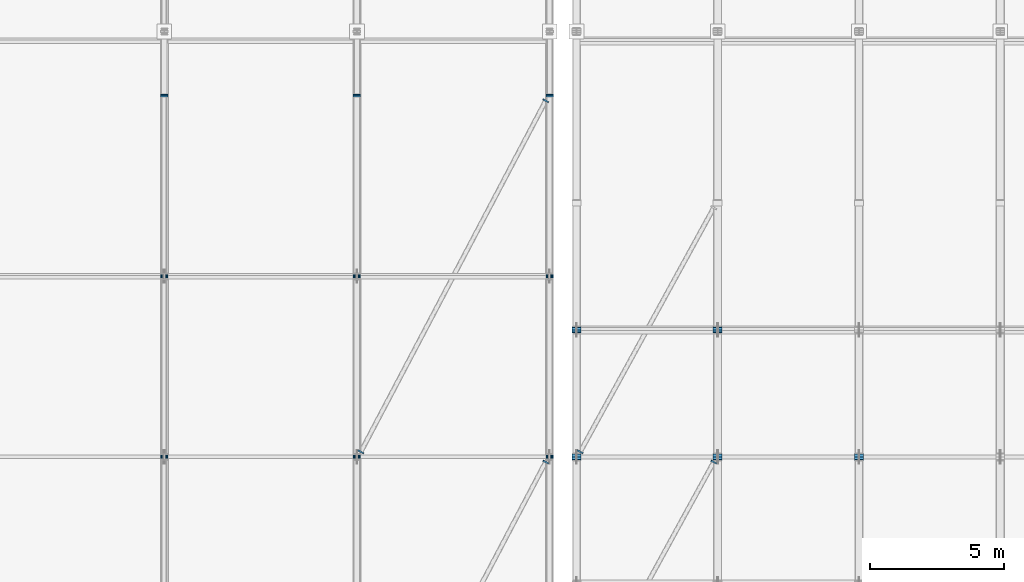
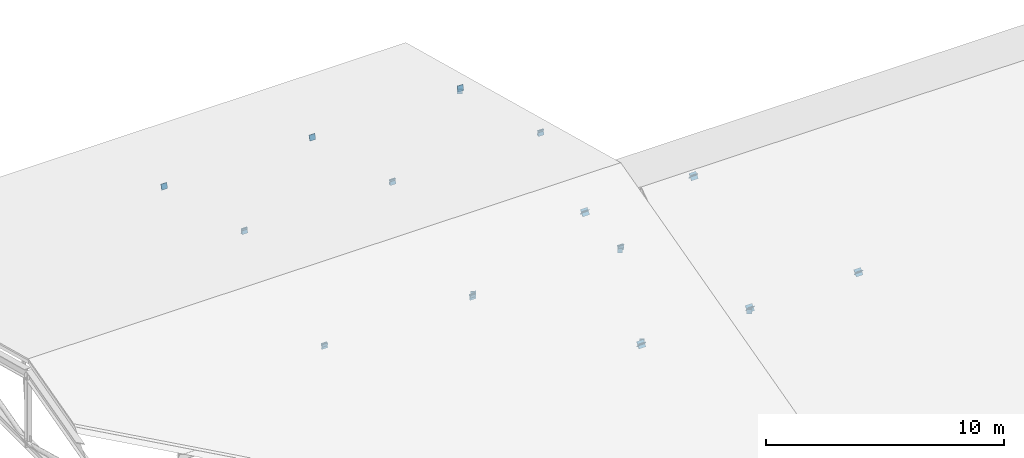
# One storey, part 47 of 57: 33 discrete accessories.
"""IFC4 building model written with IfcOpenShell, lengths in metres."""

from ifc_helpers import new_model, si_unit, direction, frame, origin, origin_2d, place, context, subcontext, project, spatial, rectangle, extrude, material, material_profile, profile_set, type_object, element, save


model = new_model("IFC4")

# Units and contexts
model_context = context("Model", 3, precision=1e-05, world=origin(), true_north=direction((0.0, 1.0)))
body_context = subcontext(model_context, "Body", "Model", "MODEL_VIEW")
ifc_project = project(units=[si_unit("LENGTHUNIT", "METRE"), si_unit("AREAUNIT", "SQUARE_METRE"), si_unit("VOLUMEUNIT", "CUBIC_METRE"), si_unit("PLANEANGLEUNIT", "RADIAN"), si_unit("MASSUNIT", "GRAM", prefix="KILO")], contexts=[model_context])

# Site, building, storey
site_placement = place(None, origin())
site = spatial("IfcSite", under=ifc_project, at=site_placement, CompositionType="ELEMENT")
building_placement = place(site_placement, origin())
building = spatial("IfcBuilding", under=site, at=building_placement, Name="Kelarvand Opera House", CompositionType="ELEMENT")
storey_placement = place(building_placement, frame((0.0, 0.0, 33.60009765625)))
storey = spatial("IfcBuildingStorey", under=building, at=storey_placement, Name="Roof", CompositionType="ELEMENT", Elevation=33.60009765625)

# Discrete accessories
ifc_material = material(Name="Steel S355", Category="steel")
ifc_material_profile_1 = material_profile(ifc_material, rectangle(XDim=0.22802734375, YDim=0.22802734375, at=origin_2d()), Name="Welded Steel Hollow End-Cap Plate 228x228x24", Category="steel")
ifc_profile_set_1 = profile_set([ifc_material_profile_1], Name="Steel S355")
discrete_accessory_type_1 = type_object("IfcDiscreteAccessoryType", Name="Welded Steel Hollow End-Cap Plate 228x228x24", PredefinedType="SHOE", material=ifc_profile_set_1)
for number, where, z_axis, x_axis, name in (
    (1, (94.126220703125, 62.29296875, -4.800048828125), (0.474099823035, 0.880471099922, 0.0), (-0.880471099922, 0.474099823035, 0.0), "Hollow Section Welded End Cap 394"),
    (2, (89.15380859375, 62.70703125, -4.800048828125), (-0.474099823035, -0.880471099922, 0.0), (0.880471099922, -0.474099823035, 0.0), "Hollow Section Welded End Cap 395"),
):
    element("IfcDiscreteAccessory", number, at=place(storey_placement, frame(where, z_axis=z_axis, x_axis=x_axis)), inside=storey, type_object=discrete_accessory_type_1, Name=name, PredefinedType="SHOE", context=body_context, shape_type="SweptSolid", body=[
        extrude(rectangle(XDim=0.22802734375, YDim=0.22802734375, at=origin_2d()), origin(), (0.0, 0.0, 1.0), 0.0361328125),
    ])
for number, where, z_axis, x_axis, name in (
    (3, (87.84619140625, 62.29296875, 0.52001953125), (0.468824003899, 0.883291601549, 0.0), (-0.883291601549, 0.468824003899, 0.0), "Hollow Section Welded End Cap 538"),
    (4, (80.95361328125, 62.70703125, 0.52001953125), (-0.4634975267, -0.886098212809, 0.0), (0.886098212809, -0.4634975267, 0.0), "Hollow Section Welded End Cap 539"),
    (5, (87.84619140625, 75.79296875, 0.52001953125), (0.468824003899, 0.883291601549, 0.0), (-0.883291601549, 0.468824003899, 0.0), "Hollow Section Welded End Cap 540"),
):
    element("IfcDiscreteAccessory", number, at=place(storey_placement, frame(where, z_axis=z_axis, x_axis=x_axis)), inside=storey, type_object=discrete_accessory_type_1, Name=name, PredefinedType="SHOE", context=body_context, shape_type="SweptSolid", body=[
        extrude(rectangle(XDim=0.22802734375, YDim=0.22802734375, at=origin_2d()), origin(), (0.0, 0.0, 1.0), 0.035888671875),
    ])
ifc_material_profile_2 = material_profile(ifc_material, rectangle(XDim=0.279052734375, YDim=0.279052734375, at=origin_2d()), Name="Welded Steel Hollow End-Cap Plate 279x279x24", Category="steel")
ifc_profile_set_2 = profile_set([ifc_material_profile_2], Name="Steel S355")
discrete_accessory_type_2 = type_object("IfcDiscreteAccessoryType", Name="Welded Steel Hollow End-Cap Plate 279x279x24", PredefinedType="SHOE", material=ifc_profile_set_2)
discrete_accessory_1_placement = place(storey_placement, frame((73.60009765625, 76.0078125, 0.518310546875), z_axis=(0.0, -0.977603274554, 0.210456260494), x_axis=(1.0, 0.0, 0.0)))
element("IfcDiscreteAccessory", 6, at=discrete_accessory_1_placement, inside=storey, type_object=discrete_accessory_type_2, Name="Hollow Section Welded End Cap 476", PredefinedType="SHOE", context=body_context, shape_type="SweptSolid", body=[
    extrude(rectangle(XDim=0.279052734375, YDim=0.279052734375, at=origin_2d()), origin(), (0.0, 0.0, 1.0), 0.035888671875),
])
for number, where, z_axis, x_axis, name in (
    (7, (73.60009765625, 62.4921875, 0.52197265625), (0.0, 0.966458920361, -0.256821251564), (-1.0, 0.0, 0.0), "Hollow Section Welded End Cap 480"),
    (8, (73.60009765625, 62.5078125, 0.52197265625), (0.0, -0.966458920361, -0.256821251564), (1.0, 0.0, 0.0), "Hollow Section Welded End Cap 481"),
    (9, (73.60009765625, 69.2421875, 2.33251953125), (0.0, 0.966458920361, 0.256821251564), (-1.0, 0.0, 0.0), "Hollow Section Welded End Cap 482"),
    (10, (73.60009765625, 69.2578125, 2.33251953125), (0.0, -0.966458920361, 0.256821251564), (1.0, 0.0, 0.0), "Hollow Section Welded End Cap 483"),
    (11, (73.60009765625, 75.9921875, 0.52197265625), (0.0, 0.966458920361, -0.256821251564), (-1.0, 0.0, 0.0), "Hollow Section Welded End Cap 484"),
):
    element("IfcDiscreteAccessory", number, at=place(storey_placement, frame(where, z_axis=z_axis, x_axis=x_axis)), inside=storey, type_object=discrete_accessory_type_2, Name=name, PredefinedType="SHOE", context=body_context, shape_type="SweptSolid", body=[
        extrude(rectangle(XDim=0.279052734375, YDim=0.279052734375, at=origin_2d()), origin(), (0.0, 0.0, 1.0), 0.0361328125),
    ])
discrete_accessory_2_placement = place(storey_placement, frame((80.800048828125, 76.0078125, 0.518310546875), z_axis=(0.0, -0.977603274554, 0.210456260494), x_axis=(1.0, 0.0, 0.0)))
element("IfcDiscreteAccessory", 12, at=discrete_accessory_2_placement, inside=storey, type_object=discrete_accessory_type_2, Name="Hollow Section Welded End Cap 492", PredefinedType="SHOE", context=body_context, shape_type="SweptSolid", body=[
    extrude(rectangle(XDim=0.279052734375, YDim=0.279052734375, at=origin_2d()), origin(), (0.0, 0.0, 1.0), 0.035888671875),
])
for number, where, z_axis, x_axis, name in (
    (13, (80.800048828125, 62.4921875, 0.52197265625), (0.0, 0.966458920361, -0.256821251564), (-1.0, 0.0, 0.0), "Hollow Section Welded End Cap 496"),
    (14, (80.800048828125, 62.5078125, 0.52197265625), (0.0, -0.966458920361, -0.256821251564), (1.0, 0.0, 0.0), "Hollow Section Welded End Cap 497"),
    (15, (80.800048828125, 69.2421875, 2.33251953125), (0.0, 0.966458920361, 0.256821251564), (-1.0, 0.0, 0.0), "Hollow Section Welded End Cap 498"),
    (16, (80.800048828125, 69.2578125, 2.33251953125), (0.0, -0.966458920361, 0.256821251564), (1.0, 0.0, 0.0), "Hollow Section Welded End Cap 499"),
    (17, (80.800048828125, 75.9921875, 0.52197265625), (0.0, 0.966458920361, -0.256821251564), (-1.0, 0.0, 0.0), "Hollow Section Welded End Cap 500"),
):
    element("IfcDiscreteAccessory", number, at=place(storey_placement, frame(where, z_axis=z_axis, x_axis=x_axis)), inside=storey, type_object=discrete_accessory_type_2, Name=name, PredefinedType="SHOE", context=body_context, shape_type="SweptSolid", body=[
        extrude(rectangle(XDim=0.279052734375, YDim=0.279052734375, at=origin_2d()), origin(), (0.0, 0.0, 1.0), 0.0361328125),
    ])
discrete_accessory_3_placement = place(storey_placement, frame((88.0, 76.0078125, 0.518310546875), z_axis=(0.0, -0.977603274554, 0.210456260494), x_axis=(1.0, 0.0, 0.0)))
element("IfcDiscreteAccessory", 18, at=discrete_accessory_3_placement, inside=storey, type_object=discrete_accessory_type_2, Name="Hollow Section Welded End Cap 508", PredefinedType="SHOE", context=body_context, shape_type="SweptSolid", body=[
    extrude(rectangle(XDim=0.279052734375, YDim=0.279052734375, at=origin_2d()), origin(), (0.0, 0.0, 1.0), 0.035888671875),
])
for number, where, z_axis, x_axis, name in (
    (19, (88.0, 62.4921875, 0.52197265625), (0.0, 0.966458920361, -0.256821251564), (-1.0, 0.0, 0.0), "Hollow Section Welded End Cap 512"),
    (20, (88.0, 62.5078125, 0.52197265625), (0.0, -0.966458920361, -0.256821251564), (1.0, 0.0, 0.0), "Hollow Section Welded End Cap 513"),
    (21, (88.0, 69.2421875, 2.33251953125), (0.0, 0.966458920361, 0.256821251564), (-1.0, 0.0, 0.0), "Hollow Section Welded End Cap 514"),
    (22, (88.0, 69.2578125, 2.33251953125), (0.0, -0.966458920361, 0.256821251564), (1.0, 0.0, 0.0), "Hollow Section Welded End Cap 515"),
    (23, (88.0, 75.9921875, 0.52197265625), (0.0, 0.966458920361, -0.256821251564), (-1.0, 0.0, 0.0), "Hollow Section Welded End Cap 516"),
):
    element("IfcDiscreteAccessory", number, at=place(storey_placement, frame(where, z_axis=z_axis, x_axis=x_axis)), inside=storey, type_object=discrete_accessory_type_2, Name=name, PredefinedType="SHOE", context=body_context, shape_type="SweptSolid", body=[
        extrude(rectangle(XDim=0.279052734375, YDim=0.279052734375, at=origin_2d()), origin(), (0.0, 0.0, 1.0), 0.0361328125),
    ])
ifc_material_profile_3 = material_profile(ifc_material, rectangle(XDim=0.3330078125, YDim=0.3330078125, at=origin_2d()), Name="Welded Steel Hollow End-Cap Plate 333x333x24", Category="steel")
ifc_profile_set_3 = profile_set([ifc_material_profile_3], Name="Steel S355")
discrete_accessory_type_3 = type_object("IfcDiscreteAccessoryType", Name="Welded Steel Hollow End-Cap Plate 333x333x24", PredefinedType="SHOE", material=ifc_profile_set_3)
for number, where, z_axis, x_axis, name in (
    (24, (89.0, 62.493896484375, -4.794921875), (0.0, 0.768778639846, -0.639514974739), (-1.0, 0.0, 0.0), "Hollow Section Welded End Cap 224"),
    (25, (89.0, 62.506103515625, -4.794921875), (0.0, -0.768778639846, -0.639514974739), (1.0, 0.0, 0.0), "Hollow Section Welded End Cap 225"),
    (26, (89.0, 67.243896484375, -0.896484375), (0.0, 0.768778639846, 0.639514974739), (-1.0, 0.0, 0.0), "Hollow Section Welded End Cap 226"),
    (27, (89.0, 67.256103515625, -0.896484375), (0.0, -0.768778639846, 0.639514974739), (1.0, 0.0, 0.0), "Hollow Section Welded End Cap 227"),
    (28, (94.280029296875, 62.493896484375, -4.794921875), (0.0, 0.768778639846, -0.639514974739), (-1.0, 0.0, 0.0), "Hollow Section Welded End Cap 240"),
    (29, (94.280029296875, 62.506103515625, -4.794921875), (0.0, -0.768778639846, -0.639514974739), (1.0, 0.0, 0.0), "Hollow Section Welded End Cap 241"),
    (30, (94.280029296875, 67.243896484375, -0.896484375), (0.0, 0.768778639846, 0.639514974739), (-1.0, 0.0, 0.0), "Hollow Section Welded End Cap 242"),
    (31, (94.280029296875, 67.256103515625, -0.896484375), (0.0, -0.768778639846, 0.639514974739), (1.0, 0.0, 0.0), "Hollow Section Welded End Cap 243"),
    (32, (99.56005859375, 62.493896484375, -4.794921875), (0.0, 0.768778639846, -0.639514974739), (-1.0, 0.0, 0.0), "Hollow Section Welded End Cap 256"),
    (33, (99.56005859375, 62.506103515625, -4.794921875), (0.0, -0.768778639846, -0.639514974739), (1.0, 0.0, 0.0), "Hollow Section Welded End Cap 257"),
):
    element("IfcDiscreteAccessory", number, at=place(storey_placement, frame(where, z_axis=z_axis, x_axis=x_axis)), inside=storey, type_object=discrete_accessory_type_3, Name=name, PredefinedType="SHOE", context=body_context, shape_type="SweptSolid", body=[
        extrude(rectangle(XDim=0.3330078125, YDim=0.3330078125, at=origin_2d()), origin(), (0.0, 0.0, 1.0), 0.035888671875),
    ])

save(model, "model.ifc")
